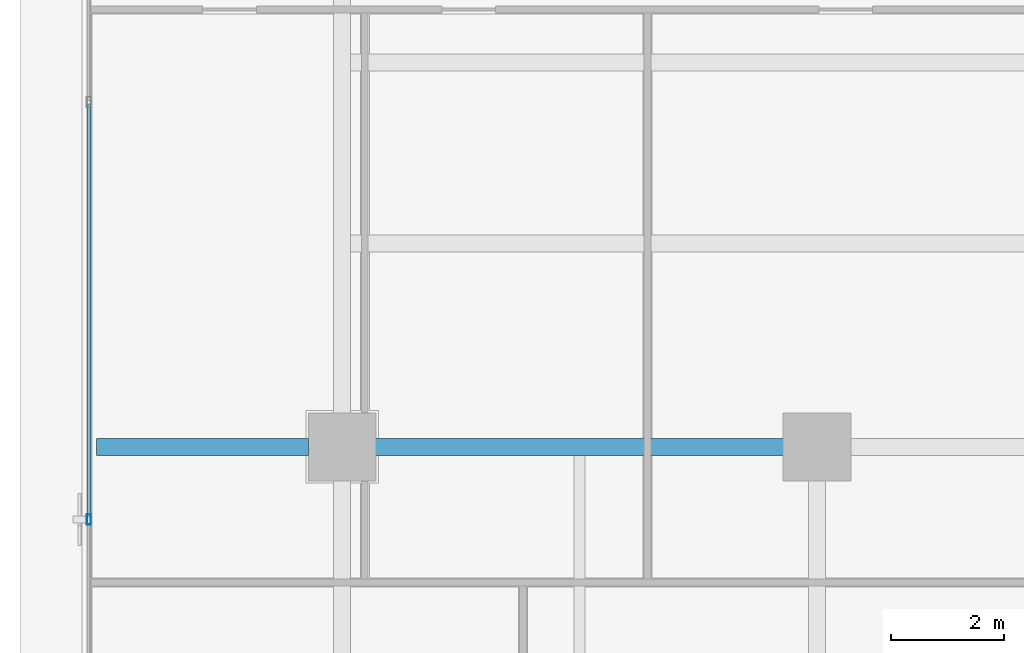
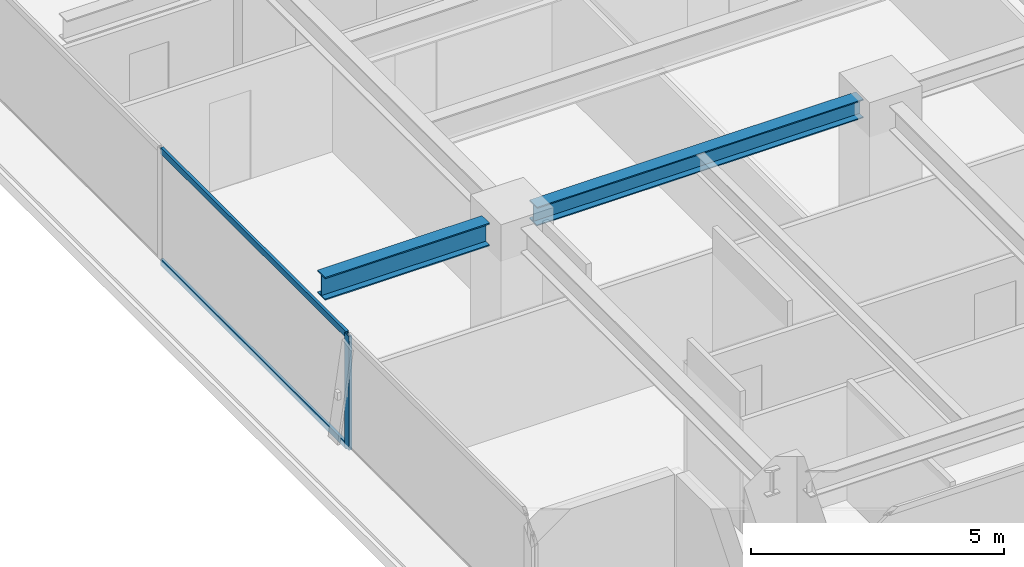
# One storey, part 4 of 22: 3 members, 2 beams, 1 element without a shape of its own.
"""IFC4 building model written with IfcOpenShell, lengths in metres."""

from ifc_helpers import new_model, si_unit, direction, frame, origin, origin_2d, place, context, subcontext, project, spatial, hollow_rectangle, i_section, extrude, source, transform, mapped, material, layer, layer_set, material_profile, profile_set, type_object, element, aggregate, save


model = new_model("IFC4")

# Units and contexts
model_context = context("Model", 3, precision=1e-05, world=origin(), true_north=direction((0.0, 1.0)))
body_context = subcontext(model_context, "Body", "Model", "MODEL_VIEW")
ifc_project = project(units=[si_unit("LENGTHUNIT", "METRE"), si_unit("AREAUNIT", "SQUARE_METRE"), si_unit("VOLUMEUNIT", "CUBIC_METRE"), si_unit("PLANEANGLEUNIT", "RADIAN"), si_unit("MASSUNIT", "GRAM", prefix="KILO")], contexts=[model_context])

# Site, building, storey
site_placement = place(None, origin())
site = spatial("IfcSite", under=ifc_project, at=site_placement, CompositionType="ELEMENT")
building_placement = place(site_placement, origin())
building = spatial("IfcBuilding", under=site, at=building_placement, Name="Sumidabori Civic Tower", CompositionType="ELEMENT")
storey_placement = place(building_placement, frame((0.0, 0.0, 272.0)))
storey = spatial("IfcBuildingStorey", under=building, at=storey_placement, Name="L71", CompositionType="ELEMENT", Elevation=272.0)

# Beams
ifc_material_1 = material(Name="Steel SN490", Category="steel")
ifc_material_profile_1 = material_profile(ifc_material_1, i_section(OverallWidth=0.300048828125, OverallDepth=0.449951171875, WebThickness=0.013916015625, FlangeThickness=0.02587890625, at=origin_2d()), Name="HE 450 B")
ifc_profile_set_1 = profile_set([ifc_material_profile_1], Name="Steel SN490")
beam_type_1 = type_object("IfcBeamType", Name="BM-GIRD-450", PredefinedType="BEAM", material=ifc_profile_set_1)
shared_shape_1 = source(origin(), body_context, "Body", "SweptSolid", [
    extrude(i_section(OverallWidth=0.300048828125, OverallDepth=0.449951171875, WebThickness=0.013916015625, FlangeThickness=0.02587890625, at=origin_2d()), origin(), (0.0, 0.0, 1.0), 7.440185546875),
])
beam_1_placement = place(storey_placement, frame((-16.320068359375, 0.0, 3.14501953125), z_axis=(1.0, 0.0, 0.0), x_axis=(0.0, 1.0, 0.0)))
element("IfcBeam", 1, at=beam_1_placement, inside=storey, type_object=beam_type_1, Name="Primary Girder L71 GX-05", PredefinedType="BEAM", context=body_context, shape_type="MappedRepresentation", body=[
    mapped(shared_shape_1, transform((0.0, 0.0, 0.0), x_axis=(1.0, 0.0, 0.0), y_axis=(0.0, 1.0, 0.0), z_axis=(0.0, 0.0, 1.0), scale=1.0)),
])
ifc_material_profile_2 = material_profile(ifc_material_1, i_section(OverallWidth=0.300048828125, OverallDepth=0.550048828125, WebThickness=0.014892578125, FlangeThickness=0.029052734375, at=origin_2d()), Name="HE 550 B")
ifc_profile_set_2 = profile_set([ifc_material_profile_2], Name="Steel SN490")
beam_type_2 = type_object("IfcBeamType", Name="BM-Z4-EDGE", PredefinedType="SPANDREL", material=ifc_profile_set_2)
shared_shape_2 = source(origin(), body_context, "Body", "SweptSolid", [
    extrude(i_section(OverallWidth=0.300048828125, OverallDepth=0.550048828125, WebThickness=0.014892578125, FlangeThickness=0.029052734375, at=origin_2d()), origin(), (0.0, 0.0, 1.0), 3.75),
])
beam_2_placement = place(storey_placement, frame((-21.14990234375, 0.0, 3.094970703125), z_axis=(1.0, 0.0, 0.0), x_axis=(0.0, 1.0, 0.0)))
element("IfcBeam", 2, at=beam_2_placement, inside=storey, type_object=beam_type_2, Name="Perimeter Overhang Beam L71 W-19", PredefinedType="SPANDREL", context=body_context, shape_type="MappedRepresentation", body=[
    mapped(shared_shape_2, transform((0.0, 0.0, 0.0), x_axis=(1.0, 0.0, 0.0), y_axis=(0.0, 1.0, 0.0), z_axis=(0.0, 0.0, 1.0), scale=1.0)),
])

# Curtain wall, members
ifc_material_2 = material(Name="Anodised Bronze Aluminium AW-6063-T6", Category="aluminium")
ifc_layer = layer(ifc_material_2, 0.179931640625, Name="Anodised Bronze Aluminium AW-6063-T6")
ifc_layer_set = layer_set([ifc_layer], Name="Anodised Bronze Aluminium AW-6063-T6")
curtain_wall_type = type_object("IfcCurtainWallType", Name="CW-SYS-6", PredefinedType="NOTDEFINED", material=ifc_layer_set)
curtain_wall_placement = place(storey_placement, origin())
curtain_wall = element("IfcCurtainWall", 3, at=curtain_wall_placement, inside=storey, type_object=curtain_wall_type, Name="Curtain Wall CW:L71:R10", PredefinedType="NOTDEFINED")
ifc_material_profile_3 = material_profile(ifc_material_2, hollow_rectangle(XDim=0.070068359375, YDim=0.179931640625, WallThickness=0.006103515625, at=origin_2d()), Name="ALU MULLION 180x70")
ifc_profile_set_3 = profile_set([ifc_material_profile_3], Name="Anodised Bronze Aluminium AW-6063-T6")
member_type_1 = type_object("IfcMemberType", Name="CW-MUL-180", PredefinedType="MULLION", material=ifc_profile_set_3)
shared_shape_3 = source(origin(), body_context, "Body", "SweptSolid", [
    extrude(hollow_rectangle(XDim=0.070068359375, YDim=0.179931640625, WallThickness=0.006103515625, at=origin_2d()), origin(), (0.0, 0.0, 1.0), 2.75),
])
member_1_placement = place(storey_placement, frame((-21.280029296875, -1.284912109375, 0.0), z_axis=(0.0, 0.0, 1.0), x_axis=(1.0, 0.0, 0.0)))
member_1 = element("IfcMember", 4, at=member_1_placement, type_object=member_type_1, Name="CW-6 mullion 4", PredefinedType="MULLION", context=body_context, shape_type="MappedRepresentation", body=[
    mapped(shared_shape_3, transform((0.0, 0.0, 0.0), x_axis=(1.0, 0.0, 0.0), y_axis=(0.0, 1.0, 0.0), z_axis=(0.0, 0.0, 1.0), scale=1.0)),
])
ifc_material_profile_4 = material_profile(ifc_material_2, hollow_rectangle(XDim=0.06494140625, YDim=0.14990234375, WallThickness=0.0048828125, at=origin_2d()), Name="ALU TRANSOM 150x65")
ifc_profile_set_4 = profile_set([ifc_material_profile_4], Name="Anodised Bronze Aluminium AW-6063-T6")
member_type_2 = type_object("IfcMemberType", Name="CW-TRN-150", PredefinedType="USERDEFINED", material=ifc_profile_set_4)
shared_shape_4 = source(origin(), body_context, "Body", "SweptSolid", [
    extrude(hollow_rectangle(XDim=0.06494140625, YDim=0.14990234375, WallThickness=0.0048828125, at=origin_2d()), origin(), (0.0, 0.0, 1.0), 7.31494140625),
])
member_2_placement = place(storey_placement, frame((-21.280029296875, 6.06494140625, 0.032470703125), z_axis=(0.0, -1.0, 0.0), x_axis=(1.0, 0.0, 0.0)))
member_2 = element("IfcMember", 5, at=member_2_placement, type_object=member_type_2, Name="CW-6 transom 3.1", ObjectType="TRANSOM", PredefinedType="USERDEFINED", context=body_context, shape_type="MappedRepresentation", body=[
    mapped(shared_shape_4, transform((0.0, 0.0, 0.0), x_axis=(1.0, 0.0, 0.0), y_axis=(0.0, 1.0, 0.0), z_axis=(0.0, 0.0, 1.0), scale=1.0)),
])
member_3_placement = place(storey_placement, frame((-21.280029296875, 6.06494140625, 2.717529296875), z_axis=(0.0, -1.0, 0.0), x_axis=(1.0, 0.0, 0.0)))
member_3 = element("IfcMember", 6, at=member_3_placement, type_object=member_type_2, Name="CW-6 transom 3.2", ObjectType="TRANSOM", PredefinedType="USERDEFINED", context=body_context, shape_type="MappedRepresentation", body=[
    mapped(shared_shape_4, transform((0.0, 0.0, 0.0), x_axis=(1.0, 0.0, 0.0), y_axis=(0.0, 1.0, 0.0), z_axis=(0.0, 0.0, 1.0), scale=1.0)),
])
aggregate(curtain_wall, [member_1, member_2, member_3])

save(model, "model.ifc")
